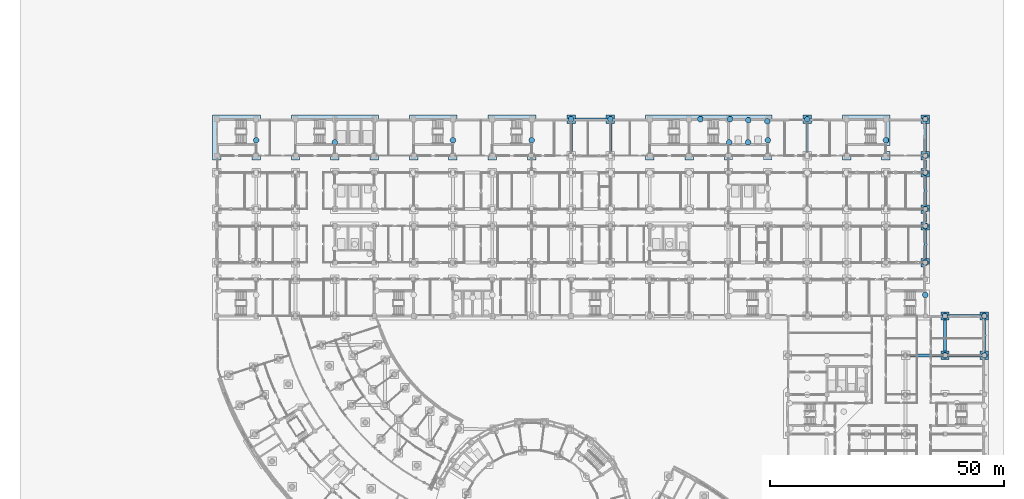
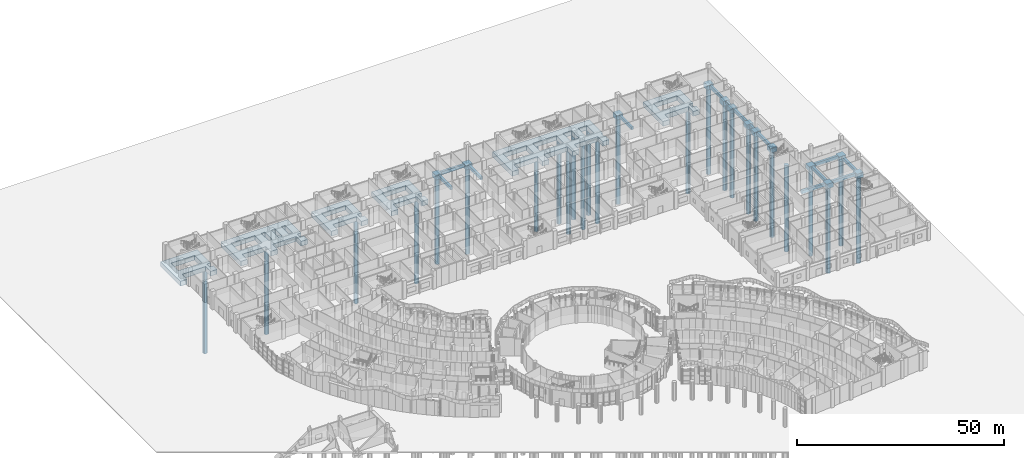
# One storey, part 10 of 146: 33 footings, 26 piles.
"""IFC4 building model written with IfcOpenShell, lengths in metres."""

from ifc_helpers import new_model, si_unit, direction, frame, origin, origin_2d, place, context, subcontext, project, spatial, polyline, rectangle, circle, outline, extrude, material, material_profile, profile_set, type_object, element, save


model = new_model("IFC4")

# Units and contexts
model_context = context("Model", 3, precision=1e-05, world=origin(), true_north=direction((0.0, 1.0)))
body_context = subcontext(model_context, "Body", "Model", "MODEL_VIEW")
ifc_project = project(units=[si_unit("LENGTHUNIT", "METRE"), si_unit("AREAUNIT", "SQUARE_METRE"), si_unit("VOLUMEUNIT", "CUBIC_METRE"), si_unit("PLANEANGLEUNIT", "RADIAN"), si_unit("MASSUNIT", "GRAM", prefix="KILO")], contexts=[model_context])

# Site, building, storey
site_placement = place(None, origin())
site = spatial("IfcSite", under=ifc_project, at=site_placement, CompositionType="ELEMENT")
building_placement = place(site_placement, origin())
building = spatial("IfcBuilding", under=site, at=building_placement, Name="Bougainvillea Quay General Hospital", CompositionType="ELEMENT")
storey_placement = place(building_placement, origin())
storey = spatial("IfcBuildingStorey", under=building, at=storey_placement, Name="L00", CompositionType="ELEMENT", Elevation=0.0)

# Piles
ifc_material_1 = material(Name="Concrete C40", Category="concrete")
ifc_material_profile_1 = material_profile(ifc_material_1, circle(Radius=0.60009765625, at=origin_2d()))
ifc_profile_set_1 = profile_set([ifc_material_profile_1], Name="Concrete C40")
pile_type = type_object("IfcPileType", Name="BORED PILE D1200 C40", PredefinedType="BORED", material=ifc_profile_set_1)
for number, where, z_axis, x_axis, name in (
    (1, (197.39990234375, 109.199951171875, -1.60009765625), (0.0, 0.0, -1.0), (1.0, 0.0, 0.0), "Bored pile 176-01"),
    (2, (205.800048828125, 109.199951171875, -1.60009765625), (0.0, 0.0, -1.0), (1.0, 0.0, 0.0), "Bored pile 177-01"),
    (3, (197.39990234375, 117.60009765625, -1.60009765625), (0.0, 0.0, -1.0), (1.0, 0.0, 0.0), "Bored pile 189-01"),
    (4, (205.800048828125, 117.60009765625, -1.60009765625), (0.0, 0.0, -1.0), (1.0, 0.0, 0.0), "Bored pile 190-01"),
    (5, (193.199951171875, 122.10009765625, -1.60009765625), (0.0, 0.0, -1.0), (1.0, 0.0, 0.0), "Bored pile 196-01"),
    (6, (193.199951171875, 129.0, -1.60009765625), (0.0, 0.0, -1.0), (1.0, 0.0, 0.0), "Bored pile 218-01"),
    (7, (193.199951171875, 136.800048828125, -1.60009765625), (0.0, 0.0, -1.0), (1.0, 0.0, 0.0), "Bored pile 235-01"),
    (8, (193.199951171875, 140.39990234375, -1.60009765625), (0.0, 0.0, -1.0), (1.0, 0.0, 0.0), "Bored pile 250-01"),
    (9, (193.199951171875, 148.199951171875, -1.60009765625), (0.0, 0.0, -1.0), (1.0, 0.0, 0.0), "Bored pile 267-01"),
    (10, (193.199951171875, 151.800048828125, -1.60009765625), (0.0, 0.0, -1.0), (1.0, 0.0, 0.0), "Bored pile 271-01"),
    (11, (50.39990234375, 155.10009765625, -1.60009765625), (0.0, 0.0, -1.0), (1.0, 0.0, 0.0), "Bored pile 272-01"),
    (12, (92.39990234375, 155.10009765625, -1.60009765625), (0.0, 0.0, -1.0), (1.0, 0.0, 0.0), "Bored pile 273-01"),
    (13, (109.199951171875, 155.10009765625, -1.60009765625), (0.0, 0.0, -1.0), (1.0, 0.0, 0.0), "Bored pile 274-01"),
    (14, (184.800048828125, 155.10009765625, -1.60009765625), (0.0, 0.0, -1.0), (1.0, 0.0, 0.0), "Bored pile 275-01"),
    (15, (151.35009765625, 154.64990234375, -1.60009765625), (0.0, 0.0, -1.0), (1.0, 0.0, 0.0), "Bored pile 276-01"),
    (16, (155.378173828125, 154.64990234375, -1.60009765625), (0.0, 0.0, -1.0), (1.0, 0.0, 0.0), "Bored pile 276-02"),
    (17, (159.60009765625, 155.10009765625, -1.60009765625), (0.0, 0.0, -1.0), (1.0, 0.0, 0.0), "Bored pile 276-03"),
    (18, (159.503173828125, 159.14990234375, -1.60009765625), (0.0, 0.0, -1.0), (1.0, 0.0, 0.0), "Bored pile 276-04"),
    (19, (155.43115234375, 159.375, -1.60009765625), (0.0, 0.0, -1.0), (1.0, 0.0, 0.0), "Bored pile 276-05"),
    (20, (145.199951171875, 159.60009765625, -1.60009765625), (0.0, 0.0, -1.0), (1.0, 0.0, 0.0), "Bored pile 276-06"),
    (21, (151.5, 159.60009765625, -1.60009765625), (0.0, 0.0, -1.0), (1.0, 0.0, 0.0), "Bored pile 276-07"),
    (22, (67.199951171875, 154.64990234375, -1.60009765625), (0.0, 0.0, -1.0), (1.0, 0.0, 0.0), "Bored pile 277-01"),
    (23, (117.60009765625, 159.60009765625, -1.60009765625), (0.0, 0.0, -1.0), (1.0, 0.0, 0.0), "Bored pile 278-01"),
    (24, (126.0, 159.60009765625, -1.60009765625), (0.0, 0.0, -1.0), (1.0, 0.0, 0.0), "Bored pile 279-01"),
    (25, (168.0, 159.60009765625, -1.60009765625), (0.0, 0.0, -1.0), (1.0, 0.0, 0.0), "Bored pile 280-01"),
    (26, (193.199951171875, 159.60009765625, -1.60009765625), (0.0, 0.0, -1.0), (1.0, 0.0, 0.0), "Bored pile 281-01"),
):
    element("IfcPile", number, at=place(storey_placement, frame(where, z_axis=z_axis, x_axis=x_axis)), inside=storey, type_object=pile_type, Name=name, PredefinedType="BORED", context=body_context, shape_type="SweptSolid", body=[
        extrude(circle(Radius=0.60009765625, at=origin_2d()), origin(), (0.0, 0.0, 1.0), 25.39990234375),
    ])

# Footings
ifc_material_2 = material(Name="Concrete C35", Category="concrete")
footing_type_1 = type_object("IfcFootingType", Name="PILE CAP 1P D1200 1800x1800x1400", PredefinedType="PILE_CAP", material=ifc_material_2)
footing_1_placement = place(storey_placement, frame((0.0, 0.0, -1.699951171875)))
element("IfcFooting", 27, at=footing_1_placement, inside=storey, type_object=footing_type_1, Name="Pile cap PC1 176", PredefinedType="PILE_CAP", context=body_context, shape_type="SweptSolid", body=[
    extrude(outline(polyline([(196.5, 108.300048828125), (198.300048828125, 108.300048828125), (198.300048828125, 110.10009765625), (196.5, 110.10009765625), (196.5, 108.300048828125)])), origin(), (0.0, 0.0, 1.0), 1.39990234375),
])
footing_2_placement = place(storey_placement, frame((0.0, 0.0, -1.699951171875)))
element("IfcFooting", 28, at=footing_2_placement, inside=storey, type_object=footing_type_1, Name="Pile cap PC1 177", PredefinedType="PILE_CAP", context=body_context, shape_type="SweptSolid", body=[
    extrude(outline(polyline([(204.89990234375, 108.300048828125), (206.699951171875, 108.300048828125), (206.699951171875, 110.10009765625), (204.89990234375, 110.10009765625), (204.89990234375, 108.300048828125)])), origin(), (0.0, 0.0, 1.0), 1.39990234375),
])
footing_3_placement = place(storey_placement, frame((0.0, 0.0, -1.699951171875)))
element("IfcFooting", 29, at=footing_3_placement, inside=storey, type_object=footing_type_1, Name="Pile cap PC1 189", PredefinedType="PILE_CAP", context=body_context, shape_type="SweptSolid", body=[
    extrude(outline(polyline([(196.5, 116.699951171875), (198.300048828125, 116.699951171875), (198.300048828125, 118.5), (196.5, 118.5), (196.5, 116.699951171875)])), origin(), (0.0, 0.0, 1.0), 1.39990234375),
])
footing_4_placement = place(storey_placement, frame((0.0, 0.0, -1.699951171875)))
element("IfcFooting", 30, at=footing_4_placement, inside=storey, type_object=footing_type_1, Name="Pile cap PC1 190", PredefinedType="PILE_CAP", context=body_context, shape_type="SweptSolid", body=[
    extrude(outline(polyline([(204.89990234375, 116.699951171875), (206.699951171875, 116.699951171875), (206.699951171875, 118.5), (204.89990234375, 118.5), (204.89990234375, 116.699951171875)])), origin(), (0.0, 0.0, 1.0), 1.39990234375),
])
footing_5_placement = place(storey_placement, frame((0.0, 0.0, -1.699951171875)))
element("IfcFooting", 31, at=footing_5_placement, inside=storey, type_object=footing_type_1, Name="Pile cap PC1 218", PredefinedType="PILE_CAP", context=body_context, shape_type="SweptSolid", body=[
    extrude(outline(polyline([(192.300048828125, 128.10009765625), (194.10009765625, 128.10009765625), (194.10009765625, 129.89990234375), (192.300048828125, 129.89990234375), (192.300048828125, 128.10009765625)])), origin(), (0.0, 0.0, 1.0), 1.39990234375),
])
footing_6_placement = place(storey_placement, frame((0.0, 0.0, -1.699951171875)))
element("IfcFooting", 32, at=footing_6_placement, inside=storey, type_object=footing_type_1, Name="Pile cap PC1 235", PredefinedType="PILE_CAP", context=body_context, shape_type="SweptSolid", body=[
    extrude(outline(polyline([(192.300048828125, 135.89990234375), (194.10009765625, 135.89990234375), (194.10009765625, 137.699951171875), (192.300048828125, 137.699951171875), (192.300048828125, 135.89990234375)])), origin(), (0.0, 0.0, 1.0), 1.39990234375),
])
footing_7_placement = place(storey_placement, frame((0.0, 0.0, -1.699951171875)))
element("IfcFooting", 33, at=footing_7_placement, inside=storey, type_object=footing_type_1, Name="Pile cap PC1 250", PredefinedType="PILE_CAP", context=body_context, shape_type="SweptSolid", body=[
    extrude(outline(polyline([(192.300048828125, 139.5), (194.10009765625, 139.5), (194.10009765625, 141.300048828125), (192.300048828125, 141.300048828125), (192.300048828125, 139.5)])), origin(), (0.0, 0.0, 1.0), 1.39990234375),
])
footing_8_placement = place(storey_placement, frame((0.0, 0.0, -1.699951171875)))
element("IfcFooting", 34, at=footing_8_placement, inside=storey, type_object=footing_type_1, Name="Pile cap PC1 267", PredefinedType="PILE_CAP", context=body_context, shape_type="SweptSolid", body=[
    extrude(outline(polyline([(192.300048828125, 147.300048828125), (194.10009765625, 147.300048828125), (194.10009765625, 149.10009765625), (192.300048828125, 149.10009765625), (192.300048828125, 147.300048828125)])), origin(), (0.0, 0.0, 1.0), 1.39990234375),
])
footing_9_placement = place(storey_placement, frame((0.0, 0.0, -1.699951171875)))
element("IfcFooting", 35, at=footing_9_placement, inside=storey, type_object=footing_type_1, Name="Pile cap PC1 271", PredefinedType="PILE_CAP", context=body_context, shape_type="SweptSolid", body=[
    extrude(outline(polyline([(192.300048828125, 150.89990234375), (194.10009765625, 150.89990234375), (194.10009765625, 152.699951171875), (192.300048828125, 152.699951171875), (192.300048828125, 150.89990234375)])), origin(), (0.0, 0.0, 1.0), 1.39990234375),
])
footing_10_placement = place(storey_placement, frame((0.0, 0.0, -1.699951171875)))
element("IfcFooting", 36, at=footing_10_placement, inside=storey, type_object=footing_type_1, Name="Pile cap PC1 278", PredefinedType="PILE_CAP", context=body_context, shape_type="SweptSolid", body=[
    extrude(outline(polyline([(116.699951171875, 158.699951171875), (118.5, 158.699951171875), (118.5, 160.5), (116.699951171875, 160.5), (116.699951171875, 158.699951171875)])), origin(), (0.0, 0.0, 1.0), 1.39990234375),
])
footing_11_placement = place(storey_placement, frame((0.0, 0.0, -1.699951171875)))
element("IfcFooting", 37, at=footing_11_placement, inside=storey, type_object=footing_type_1, Name="Pile cap PC1 279", PredefinedType="PILE_CAP", context=body_context, shape_type="SweptSolid", body=[
    extrude(outline(polyline([(125.10009765625, 158.699951171875), (126.89990234375, 158.699951171875), (126.89990234375, 160.5), (125.10009765625, 160.5), (125.10009765625, 158.699951171875)])), origin(), (0.0, 0.0, 1.0), 1.39990234375),
])
footing_12_placement = place(storey_placement, frame((0.0, 0.0, -1.699951171875)))
element("IfcFooting", 38, at=footing_12_placement, inside=storey, type_object=footing_type_1, Name="Pile cap PC1 280", PredefinedType="PILE_CAP", context=body_context, shape_type="SweptSolid", body=[
    extrude(outline(polyline([(167.10009765625, 158.699951171875), (168.89990234375, 158.699951171875), (168.89990234375, 160.5), (167.10009765625, 160.5), (167.10009765625, 158.699951171875)])), origin(), (0.0, 0.0, 1.0), 1.39990234375),
])
footing_13_placement = place(storey_placement, frame((0.0, 0.0, -1.699951171875)))
element("IfcFooting", 39, at=footing_13_placement, inside=storey, type_object=footing_type_1, Name="Pile cap PC1 281", PredefinedType="PILE_CAP", context=body_context, shape_type="SweptSolid", body=[
    extrude(outline(polyline([(192.300048828125, 158.699951171875), (194.10009765625, 158.699951171875), (194.10009765625, 160.5), (192.300048828125, 160.5), (192.300048828125, 158.699951171875)])), origin(), (0.0, 0.0, 1.0), 1.39990234375),
])
footing_type_2 = type_object("IfcFootingType", Name="PILE CAP RAFT 1P D1200 11090", PredefinedType="PILE_CAP", material=ifc_material_2)
footing_14_placement = place(storey_placement, frame((0.0, 0.0, -1.699951171875)))
element("IfcFooting", 40, at=footing_14_placement, inside=storey, type_object=footing_type_2, Name="Pile cap PC23 277", PredefinedType="PILE_CAP", context=body_context, shape_type="SweptSolid", body=[
    extrude(outline(polyline([(66.300048828125, 153.300048828125), (59.699951171875, 153.300048828125), (59.699951171875, 150.89990234375), (57.89990234375, 150.89990234375), (57.89990234375, 160.5), (76.5, 160.5), (76.5, 154.02490234375), (75.425048828125, 154.02490234375), (75.425048828125, 152.699951171875), (76.5, 152.699951171875), (76.5, 150.89990234375), (74.699951171875, 150.89990234375), (74.699951171875, 153.300048828125), (68.10009765625, 153.300048828125), (68.10009765625, 150.89990234375), (66.300048828125, 150.89990234375), (66.300048828125, 153.300048828125)]), holes=[polyline([(73.699951171875, 158.699951171875), (73.699951171875, 155.10009765625), (74.699951171875, 155.10009765625), (74.699951171875, 158.699951171875), (73.699951171875, 158.699951171875)]), polyline([(71.89990234375, 158.699951171875), (70.89990234375, 158.699951171875), (70.89990234375, 155.10009765625), (71.89990234375, 155.10009765625), (71.89990234375, 158.699951171875)]), polyline([(69.10009765625, 158.699951171875), (68.10009765625, 158.699951171875), (68.10009765625, 155.10009765625), (69.10009765625, 155.10009765625), (69.10009765625, 158.699951171875)]), polyline([(66.300048828125, 155.10009765625), (66.300048828125, 158.699951171875), (59.699951171875, 158.699951171875), (59.699951171875, 155.10009765625), (66.300048828125, 155.10009765625)])]), origin(), (0.0, 0.0, 1.0), 1.39990234375),
])
footing_type_3 = type_object("IfcFootingType", Name="PILE CAP RAFT 1P D1200 5690", PredefinedType="PILE_CAP", material=ifc_material_2)
footing_15_placement = place(storey_placement, frame((0.0, 0.0, -1.699951171875)))
element("IfcFooting", 41, at=footing_15_placement, inside=storey, type_object=footing_type_3, Name="Pile cap PC21 272", PredefinedType="PILE_CAP", context=body_context, shape_type="SweptSolid", body=[
    extrude(outline(polyline([(42.89990234375, 153.300048828125), (42.89990234375, 150.89990234375), (41.10009765625, 150.89990234375), (41.10009765625, 160.5), (51.300048828125, 160.5), (51.300048828125, 154.02490234375), (50.22509765625, 154.02490234375), (50.22509765625, 152.699951171875), (51.300048828125, 152.699951171875), (51.300048828125, 150.89990234375), (49.5, 150.89990234375), (49.5, 153.300048828125), (42.89990234375, 153.300048828125)]), holes=[polyline([(42.89990234375, 158.699951171875), (42.89990234375, 155.10009765625), (49.5, 155.10009765625), (49.5, 158.699951171875), (42.89990234375, 158.699951171875)])]), origin(), (0.0, 0.0, 1.0), 1.39990234375),
])
footing_16_placement = place(storey_placement, frame((0.0, 0.0, -1.699951171875)))
element("IfcFooting", 42, at=footing_16_placement, inside=storey, type_object=footing_type_3, Name="Pile cap PC21 273", PredefinedType="PILE_CAP", context=body_context, shape_type="SweptSolid", body=[
    extrude(outline(polyline([(84.89990234375, 153.300048828125), (84.89990234375, 150.89990234375), (83.10009765625, 150.89990234375), (83.10009765625, 160.5), (93.300048828125, 160.5), (93.300048828125, 154.02490234375), (92.22509765625, 154.02490234375), (92.22509765625, 152.699951171875), (93.300048828125, 152.699951171875), (93.300048828125, 150.89990234375), (91.5, 150.89990234375), (91.5, 153.300048828125), (84.89990234375, 153.300048828125)]), holes=[polyline([(84.89990234375, 158.699951171875), (84.89990234375, 155.10009765625), (91.5, 155.10009765625), (91.5, 158.699951171875), (84.89990234375, 158.699951171875)])]), origin(), (0.0, 0.0, 1.0), 1.39990234375),
])
footing_17_placement = place(storey_placement, frame((0.0, 0.0, -1.699951171875)))
element("IfcFooting", 43, at=footing_17_placement, inside=storey, type_object=footing_type_3, Name="Pile cap PC21 274", PredefinedType="PILE_CAP", context=body_context, shape_type="SweptSolid", body=[
    extrude(outline(polyline([(101.699951171875, 153.300048828125), (101.699951171875, 150.89990234375), (99.89990234375, 150.89990234375), (99.89990234375, 160.5), (110.10009765625, 160.5), (110.10009765625, 154.02490234375), (109.02490234375, 154.02490234375), (109.02490234375, 152.699951171875), (110.10009765625, 152.699951171875), (110.10009765625, 150.89990234375), (108.300048828125, 150.89990234375), (108.300048828125, 153.300048828125), (101.699951171875, 153.300048828125)]), holes=[polyline([(101.699951171875, 158.699951171875), (101.699951171875, 155.10009765625), (108.300048828125, 155.10009765625), (108.300048828125, 158.699951171875), (101.699951171875, 158.699951171875)])]), origin(), (0.0, 0.0, 1.0), 1.39990234375),
])
footing_18_placement = place(storey_placement, frame((0.0, 0.0, -1.699951171875)))
element("IfcFooting", 44, at=footing_18_placement, inside=storey, type_object=footing_type_3, Name="Pile cap PC21 275", PredefinedType="PILE_CAP", context=body_context, shape_type="SweptSolid", body=[
    extrude(outline(polyline([(177.300048828125, 153.300048828125), (177.300048828125, 150.89990234375), (175.5, 150.89990234375), (175.5, 160.5), (185.699951171875, 160.5), (185.699951171875, 154.02490234375), (184.625, 154.02490234375), (184.625, 152.699951171875), (185.699951171875, 152.699951171875), (185.699951171875, 150.89990234375), (183.89990234375, 150.89990234375), (183.89990234375, 153.300048828125), (177.300048828125, 153.300048828125)]), holes=[polyline([(177.300048828125, 158.699951171875), (177.300048828125, 155.10009765625), (183.89990234375, 155.10009765625), (183.89990234375, 158.699951171875), (177.300048828125, 158.699951171875)])]), origin(), (0.0, 0.0, 1.0), 1.39990234375),
])
footing_type_4 = type_object("IfcFootingType", Name="PILE CAP RAFT 7P D1200 14637", PredefinedType="PILE_CAP", material=ifc_material_2)
footing_19_placement = place(storey_placement, frame((0.0, 0.0, -1.699951171875)))
element("IfcFooting", 45, at=footing_19_placement, inside=storey, type_object=footing_type_4, Name="Pile cap PC22 276", PredefinedType="PILE_CAP", context=body_context, shape_type="SweptSolid", body=[
    extrude(outline(polyline([(143.699951171875, 150.89990234375), (141.89990234375, 150.89990234375), (141.89990234375, 153.300048828125), (135.300048828125, 153.300048828125), (135.300048828125, 150.89990234375), (133.5, 150.89990234375), (133.5, 160.5), (160.5, 160.5), (160.5, 154.02490234375), (160.112548828125, 154.02490234375), (160.112548828125, 152.699951171875), (160.5, 152.699951171875), (160.5, 150.89990234375), (158.699951171875, 150.89990234375), (158.699951171875, 153.300048828125), (152.10009765625, 153.300048828125), (152.10009765625, 150.89990234375), (150.300048828125, 150.89990234375), (150.300048828125, 153.300048828125), (143.699951171875, 153.300048828125), (143.699951171875, 150.89990234375)]), holes=[polyline([(156.300048828125, 158.699951171875), (156.300048828125, 155.10009765625), (158.699951171875, 155.10009765625), (158.699951171875, 158.699951171875), (156.300048828125, 158.699951171875)]), polyline([(154.5, 158.699951171875), (152.10009765625, 158.699951171875), (152.10009765625, 155.10009765625), (154.5, 155.10009765625), (154.5, 158.699951171875)]), polyline([(150.300048828125, 158.699951171875), (143.699951171875, 158.699951171875), (143.699951171875, 155.10009765625), (150.300048828125, 155.10009765625), (150.300048828125, 158.699951171875)]), polyline([(141.89990234375, 158.699951171875), (135.300048828125, 158.699951171875), (135.300048828125, 155.10009765625), (141.89990234375, 155.10009765625), (141.89990234375, 158.699951171875)])]), origin(), (0.0, 0.0, 1.0), 1.39990234375),
])
ifc_material_profile_2 = material_profile(ifc_material_2, rectangle(XDim=0.60009765625, YDim=0.89990234375, at=origin_2d()))
ifc_profile_set_2 = profile_set([ifc_material_profile_2], Name="Concrete C35")
footing_type_5 = type_object("IfcFootingType", Name="RC GROUND BEAM 600x900 C35", PredefinedType="FOOTING_BEAM", material=ifc_profile_set_2)
footing_20_placement = place(storey_placement, frame((0.0, 0.0, -1.199951171875)))
element("IfcFooting", 46, at=footing_20_placement, inside=storey, type_object=footing_type_5, Name="Ground beam 170", PredefinedType="FOOTING_BEAM", context=body_context, shape_type="SweptSolid", body=[
    extrude(outline(polyline([(189.89990234375, 109.5), (196.5, 109.5), (196.5, 108.89990234375), (189.89990234375, 108.89990234375), (189.89990234375, 109.5)])), origin(), (0.0, 0.0, 1.0), 0.89990234375),
])
footing_21_placement = place(storey_placement, frame((0.0, 0.0, -1.199951171875)))
element("IfcFooting", 47, at=footing_21_placement, inside=storey, type_object=footing_type_5, Name="Ground beam 172", PredefinedType="FOOTING_BEAM", context=body_context, shape_type="SweptSolid", body=[
    extrude(outline(polyline([(198.300048828125, 109.5), (204.89990234375, 109.5), (204.89990234375, 108.89990234375), (198.300048828125, 108.89990234375), (198.300048828125, 109.5)])), origin(), (0.0, 0.0, 1.0), 0.89990234375),
])
footing_22_placement = place(storey_placement, frame((0.0, 0.0, -1.199951171875)))
element("IfcFooting", 48, at=footing_22_placement, inside=storey, type_object=footing_type_5, Name="Ground beam 173", PredefinedType="FOOTING_BEAM", context=body_context, shape_type="SweptSolid", body=[
    extrude(outline(polyline([(197.10009765625, 110.10009765625), (197.10009765625, 116.699951171875), (197.699951171875, 116.699951171875), (197.699951171875, 110.10009765625), (197.10009765625, 110.10009765625)])), origin(), (0.0, 0.0, 1.0), 0.89990234375),
])
footing_23_placement = place(storey_placement, frame((0.0, 0.0, -1.199951171875)))
element("IfcFooting", 49, at=footing_23_placement, inside=storey, type_object=footing_type_5, Name="Ground beam 174", PredefinedType="FOOTING_BEAM", context=body_context, shape_type="SweptSolid", body=[
    extrude(outline(polyline([(205.5, 110.10009765625), (205.5, 116.699951171875), (206.10009765625, 116.699951171875), (206.10009765625, 110.10009765625), (205.5, 110.10009765625)])), origin(), (0.0, 0.0, 1.0), 0.89990234375),
])
footing_24_placement = place(storey_placement, frame((0.0, 0.0, -1.199951171875)))
element("IfcFooting", 50, at=footing_24_placement, inside=storey, type_object=footing_type_5, Name="Ground beam 192", PredefinedType="FOOTING_BEAM", context=body_context, shape_type="SweptSolid", body=[
    extrude(outline(polyline([(198.300048828125, 117.89990234375), (204.89990234375, 117.89990234375), (204.89990234375, 117.300048828125), (198.300048828125, 117.300048828125), (198.300048828125, 117.89990234375)])), origin(), (0.0, 0.0, 1.0), 0.89990234375),
])
footing_25_placement = place(storey_placement, frame((0.0, 0.0, -1.199951171875)))
element("IfcFooting", 51, at=footing_25_placement, inside=storey, type_object=footing_type_5, Name="Ground beam 240", PredefinedType="FOOTING_BEAM", context=body_context, shape_type="SweptSolid", body=[
    extrude(outline(polyline([(192.89990234375, 129.89990234375), (192.89990234375, 135.89990234375), (193.5, 135.89990234375), (193.5, 129.89990234375), (192.89990234375, 129.89990234375)])), origin(), (0.0, 0.0, 1.0), 0.89990234375),
])
footing_26_placement = place(storey_placement, frame((0.0, 0.0, -1.199951171875)))
element("IfcFooting", 52, at=footing_26_placement, inside=storey, type_object=footing_type_5, Name="Ground beam 269", PredefinedType="FOOTING_BEAM", context=body_context, shape_type="SweptSolid", body=[
    extrude(outline(polyline([(192.89990234375, 137.699951171875), (192.89990234375, 139.5), (193.5, 139.5), (193.5, 137.699951171875), (192.89990234375, 137.699951171875)])), origin(), (0.0, 0.0, 1.0), 0.89990234375),
])
footing_27_placement = place(storey_placement, frame((0.0, 0.0, -1.199951171875)))
element("IfcFooting", 53, at=footing_27_placement, inside=storey, type_object=footing_type_5, Name="Ground beam 298", PredefinedType="FOOTING_BEAM", context=body_context, shape_type="SweptSolid", body=[
    extrude(outline(polyline([(192.89990234375, 141.300048828125), (192.89990234375, 147.300048828125), (193.5, 147.300048828125), (193.5, 141.300048828125), (192.89990234375, 141.300048828125)])), origin(), (0.0, 0.0, 1.0), 0.89990234375),
])
footing_28_placement = place(storey_placement, frame((0.0, 0.0, -1.199951171875)))
element("IfcFooting", 54, at=footing_28_placement, inside=storey, type_object=footing_type_5, Name="Ground beam 317", PredefinedType="FOOTING_BEAM", context=body_context, shape_type="SweptSolid", body=[
    extrude(outline(polyline([(192.89990234375, 149.10009765625), (192.89990234375, 150.89990234375), (193.5, 150.89990234375), (193.5, 149.10009765625), (192.89990234375, 149.10009765625)])), origin(), (0.0, 0.0, 1.0), 0.89990234375),
])
footing_29_placement = place(storey_placement, frame((0.0, 0.0, -1.199951171875)))
element("IfcFooting", 55, at=footing_29_placement, inside=storey, type_object=footing_type_5, Name="Ground beam 319", PredefinedType="FOOTING_BEAM", context=body_context, shape_type="SweptSolid", body=[
    extrude(outline(polyline([(117.300048828125, 152.699951171875), (117.300048828125, 158.699951171875), (117.89990234375, 158.699951171875), (117.89990234375, 152.699951171875), (117.300048828125, 152.699951171875)])), origin(), (0.0, 0.0, 1.0), 0.89990234375),
])
footing_30_placement = place(storey_placement, frame((0.0, 0.0, -1.199951171875)))
element("IfcFooting", 56, at=footing_30_placement, inside=storey, type_object=footing_type_5, Name="Ground beam 321", PredefinedType="FOOTING_BEAM", context=body_context, shape_type="SweptSolid", body=[
    extrude(outline(polyline([(125.699951171875, 152.699951171875), (125.699951171875, 158.699951171875), (126.300048828125, 158.699951171875), (126.300048828125, 152.699951171875), (125.699951171875, 152.699951171875)])), origin(), (0.0, 0.0, 1.0), 0.89990234375),
])
footing_31_placement = place(storey_placement, frame((0.0, 0.0, -1.199951171875)))
element("IfcFooting", 57, at=footing_31_placement, inside=storey, type_object=footing_type_5, Name="Ground beam 323", PredefinedType="FOOTING_BEAM", context=body_context, shape_type="SweptSolid", body=[
    extrude(outline(polyline([(167.699951171875, 152.699951171875), (167.699951171875, 158.699951171875), (168.300048828125, 158.699951171875), (168.300048828125, 152.699951171875), (167.699951171875, 152.699951171875)])), origin(), (0.0, 0.0, 1.0), 0.89990234375),
])
footing_32_placement = place(storey_placement, frame((0.0, 0.0, -1.199951171875)))
element("IfcFooting", 58, at=footing_32_placement, inside=storey, type_object=footing_type_5, Name="Ground beam 324", PredefinedType="FOOTING_BEAM", context=body_context, shape_type="SweptSolid", body=[
    extrude(outline(polyline([(192.89990234375, 152.699951171875), (192.89990234375, 158.699951171875), (193.5, 158.699951171875), (193.5, 152.699951171875), (192.89990234375, 152.699951171875)])), origin(), (0.0, 0.0, 1.0), 0.89990234375),
])
footing_33_placement = place(storey_placement, frame((0.0, 0.0, -1.199951171875)))
element("IfcFooting", 59, at=footing_33_placement, inside=storey, type_object=footing_type_5, Name="Ground beam 330", PredefinedType="FOOTING_BEAM", context=body_context, shape_type="SweptSolid", body=[
    extrude(outline(polyline([(118.5, 159.89990234375), (125.10009765625, 159.89990234375), (125.10009765625, 159.300048828125), (118.5, 159.300048828125), (118.5, 159.89990234375)])), origin(), (0.0, 0.0, 1.0), 0.89990234375),
])

save(model, "model.ifc")
